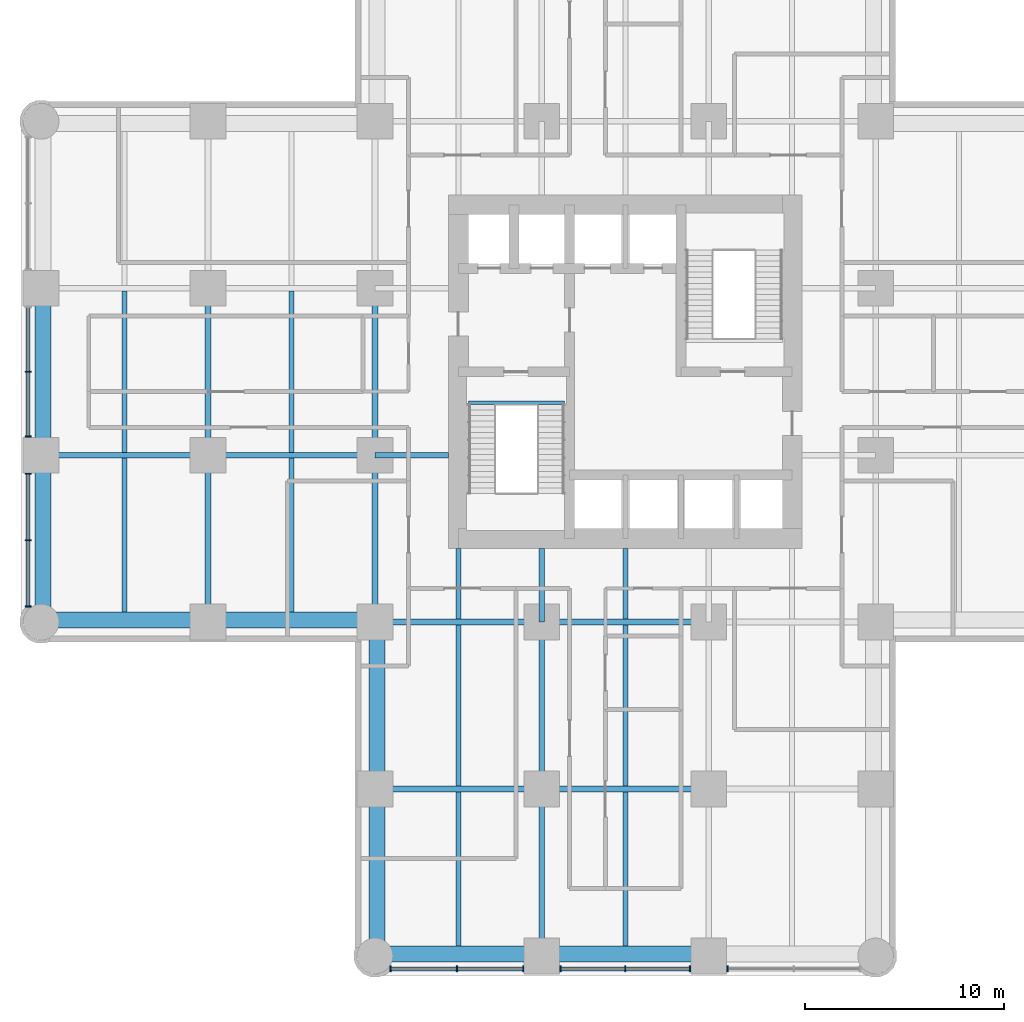
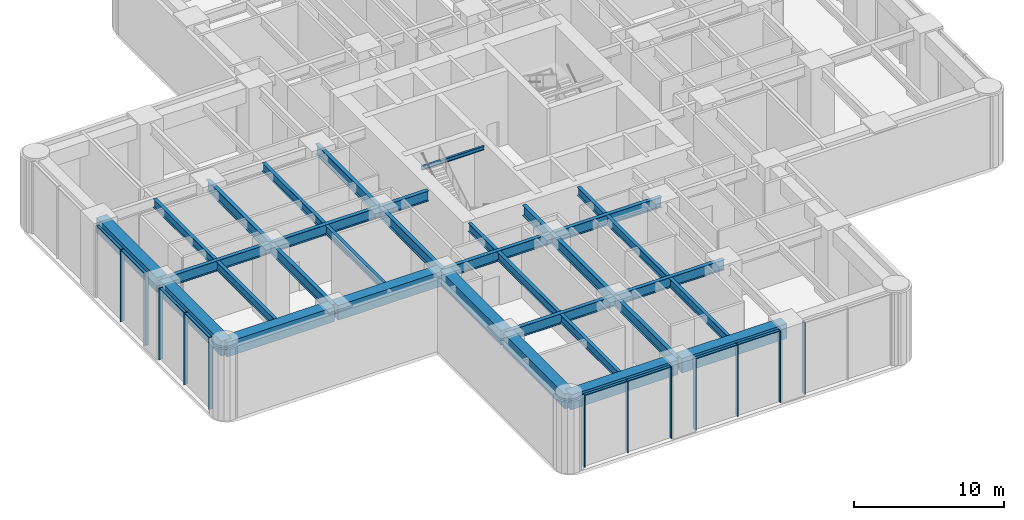
# One storey, part 2 of 11: 33 beams, 20 members, 2 elements without a shape of their own.
"""IFC4 building model written with IfcOpenShell, lengths in metres."""

from ifc_helpers import new_model, si_unit, direction, frame, origin, origin_2d, place, context, subcontext, project, spatial, rectangle, i_section, extrude, material, material_profile, profile_set, type_object, element, aggregate, save


model = new_model("IFC4")

# Units and contexts
model_context = context("Model", 3, precision=1e-05, world=origin(), true_north=direction((0.0, 1.0)))
body_context = subcontext(model_context, "Body", "Model", "MODEL_VIEW")
ifc_project = project(units=[si_unit("LENGTHUNIT", "METRE"), si_unit("AREAUNIT", "SQUARE_METRE"), si_unit("VOLUMEUNIT", "CUBIC_METRE"), si_unit("PLANEANGLEUNIT", "RADIAN"), si_unit("MASSUNIT", "GRAM", prefix="KILO")], contexts=[model_context])

# Site, building, storey
site_placement = place(None, origin())
site = spatial("IfcSite", under=ifc_project, at=site_placement, CompositionType="ELEMENT")
building_placement = place(site_placement, origin())
building = spatial("IfcBuilding", under=site, at=building_placement, Name="Torre Alcanfor", CompositionType="ELEMENT")
storey_placement = place(building_placement, frame((0.0, 0.0, 28.5)))
storey = spatial("IfcBuildingStorey", under=building, at=storey_placement, Name="L06", CompositionType="ELEMENT", Elevation=28.5)

# Curtain wall, members
ifc_material_1 = material(Name="Aluminium and glass", Category="aluminium")
curtain_wall_type = type_object("IfcCurtainWallType", Name="CW-D plant floor louvre screen", PredefinedType="NOTDEFINED", material=ifc_material_1)
curtain_wall_1_placement = place(storey_placement, origin())
curtain_wall_1 = element("IfcCurtainWall", 1, at=curtain_wall_1_placement, inside=storey, type_object=curtain_wall_type, Name="Curtain wall CW-D L06 2", PredefinedType="NOTDEFINED")
ifc_material_2 = material(Name="Extruded aluminium", Category="aluminium")
ifc_material_profile_1 = material_profile(ifc_material_2, rectangle(XDim=0.300048828125, YDim=0.06494140625, at=origin_2d()), Name="CW-D mullion 65x300")
ifc_profile_set_1 = profile_set([ifc_material_profile_1], Name="Extruded aluminium")
member_type_1 = type_object("IfcMemberType", Name="CW-D mullion 65x300", PredefinedType="MULLION", material=ifc_profile_set_1)
member_1_placement = place(storey_placement, frame((-0.64990234375, 29.39990234375, 0.0), z_axis=(0.0, 0.0, 1.0), x_axis=(1.0, 0.0, 0.0)))
member_1 = element("IfcMember", 2, at=member_1_placement, type_object=member_type_1, Name="CW-D mullion 2.2", PredefinedType="MULLION", context=body_context, shape_type="SweptSolid", body=[
    extrude(rectangle(XDim=0.300048828125, YDim=0.06494140625, at=origin_2d()), origin(), (0.0, 0.0, 1.0), 5.85009765625),
])
member_2_placement = place(storey_placement, frame((-0.64990234375, 26.137451171875, 0.0), z_axis=(0.0, 0.0, 1.0), x_axis=(1.0, 0.0, 0.0)))
member_2 = element("IfcMember", 3, at=member_2_placement, type_object=member_type_1, Name="CW-D mullion 2.3", PredefinedType="MULLION", context=body_context, shape_type="SweptSolid", body=[
    extrude(rectangle(XDim=0.300048828125, YDim=0.06494140625, at=origin_2d()), origin(), (0.0, 0.0, 1.0), 5.85009765625),
])
member_3_placement = place(storey_placement, frame((-0.64990234375, 24.262451171875, 0.0), z_axis=(0.0, 0.0, 1.0), x_axis=(1.0, 0.0, 0.0)))
member_3 = element("IfcMember", 4, at=member_3_placement, type_object=member_type_1, Name="CW-D mullion 3.1", PredefinedType="MULLION", context=body_context, shape_type="SweptSolid", body=[
    extrude(rectangle(XDim=0.300048828125, YDim=0.06494140625, at=origin_2d()), origin(), (0.0, 0.0, 1.0), 5.85009765625),
])
member_4_placement = place(storey_placement, frame((-0.64990234375, 20.924560546875, 0.0), z_axis=(0.0, 0.0, 1.0), x_axis=(1.0, 0.0, 0.0)))
member_4 = element("IfcMember", 5, at=member_4_placement, type_object=member_type_1, Name="CW-D mullion 3.2", PredefinedType="MULLION", context=body_context, shape_type="SweptSolid", body=[
    extrude(rectangle(XDim=0.300048828125, YDim=0.06494140625, at=origin_2d()), origin(), (0.0, 0.0, 1.0), 5.85009765625),
])
member_5_placement = place(storey_placement, frame((-0.64990234375, 17.5869140625, 0.0), z_axis=(0.0, 0.0, 1.0), x_axis=(1.0, 0.0, 0.0)))
member_5 = element("IfcMember", 6, at=member_5_placement, type_object=member_type_1, Name="CW-D mullion 3.3", PredefinedType="MULLION", context=body_context, shape_type="SweptSolid", body=[
    extrude(rectangle(XDim=0.300048828125, YDim=0.06494140625, at=origin_2d()), origin(), (0.0, 0.0, 1.0), 5.85009765625),
])

curtain_wall_2_placement = place(storey_placement, origin())
curtain_wall_2 = element("IfcCurtainWall", 7, at=curtain_wall_2_placement, inside=storey, type_object=curtain_wall_type, Name="Curtain wall CW-D L06 5", PredefinedType="NOTDEFINED")
member_6_placement = place(storey_placement, frame((17.5869140625, -0.64990234375, 0.0), z_axis=(0.0, 0.0, 1.0), x_axis=(0.0, 1.0, 0.0)))
member_6 = element("IfcMember", 8, at=member_6_placement, type_object=member_type_1, Name="CW-D mullion 1.1", PredefinedType="MULLION", context=body_context, shape_type="SweptSolid", body=[
    extrude(rectangle(XDim=0.300048828125, YDim=0.06494140625, at=origin_2d()), origin(), (0.0, 0.0, 1.0), 5.85009765625),
])
member_7_placement = place(storey_placement, frame((20.924560546875, -0.64990234375, 0.0), z_axis=(0.0, 0.0, 1.0), x_axis=(0.0, 1.0, 0.0)))
member_7 = element("IfcMember", 9, at=member_7_placement, type_object=member_type_1, Name="CW-D mullion 1.2", PredefinedType="MULLION", context=body_context, shape_type="SweptSolid", body=[
    extrude(rectangle(XDim=0.300048828125, YDim=0.06494140625, at=origin_2d()), origin(), (0.0, 0.0, 1.0), 5.85009765625),
])
member_8_placement = place(storey_placement, frame((24.262451171875, -0.64990234375, 0.0), z_axis=(0.0, 0.0, 1.0), x_axis=(0.0, 1.0, 0.0)))
member_8 = element("IfcMember", 10, at=member_8_placement, type_object=member_type_1, Name="CW-D mullion 1.3", PredefinedType="MULLION", context=body_context, shape_type="SweptSolid", body=[
    extrude(rectangle(XDim=0.300048828125, YDim=0.06494140625, at=origin_2d()), origin(), (0.0, 0.0, 1.0), 5.85009765625),
])
member_9_placement = place(storey_placement, frame((26.137451171875, -0.64990234375, 0.0), z_axis=(0.0, 0.0, 1.0), x_axis=(0.0, 1.0, 0.0)))
member_9 = element("IfcMember", 11, at=member_9_placement, type_object=member_type_1, Name="CW-D mullion 2.1", PredefinedType="MULLION", context=body_context, shape_type="SweptSolid", body=[
    extrude(rectangle(XDim=0.300048828125, YDim=0.06494140625, at=origin_2d()), origin(), (0.0, 0.0, 1.0), 5.85009765625),
])
member_10_placement = place(storey_placement, frame((29.39990234375, -0.64990234375, 0.0), z_axis=(0.0, 0.0, 1.0), x_axis=(0.0, 1.0, 0.0)))
member_10 = element("IfcMember", 12, at=member_10_placement, type_object=member_type_1, Name="CW-D mullion 2.2", PredefinedType="MULLION", context=body_context, shape_type="SweptSolid", body=[
    extrude(rectangle(XDim=0.300048828125, YDim=0.06494140625, at=origin_2d()), origin(), (0.0, 0.0, 1.0), 5.85009765625),
])
member_11_placement = place(storey_placement, frame((32.66259765625, -0.64990234375, 0.0), z_axis=(0.0, 0.0, 1.0), x_axis=(0.0, 1.0, 0.0)))
member_11 = element("IfcMember", 13, at=member_11_placement, type_object=member_type_1, Name="CW-D mullion 2.3", PredefinedType="MULLION", context=body_context, shape_type="SweptSolid", body=[
    extrude(rectangle(XDim=0.300048828125, YDim=0.06494140625, at=origin_2d()), origin(), (0.0, 0.0, 1.0), 5.85009765625),
])
member_12_placement = place(storey_placement, frame((34.53759765625, -0.64990234375, 0.0), z_axis=(0.0, 0.0, 1.0), x_axis=(0.0, 1.0, 0.0)))
member_12 = element("IfcMember", 14, at=member_12_placement, type_object=member_type_1, Name="CW-D mullion 3.1", PredefinedType="MULLION", context=body_context, shape_type="SweptSolid", body=[
    extrude(rectangle(XDim=0.300048828125, YDim=0.06494140625, at=origin_2d()), origin(), (0.0, 0.0, 1.0), 5.85009765625),
])

# Member
ifc_material_3 = material(Name="Extruded aluminium", Category="aluminium")
ifc_material_profile_2 = material_profile(ifc_material_3, rectangle(XDim=0.199951171875, YDim=0.06494140625, at=origin_2d()), Name="CW-D transom 200x65")
ifc_profile_set_2 = profile_set([ifc_material_profile_2], Name="Extruded aluminium")
member_type_2 = type_object("IfcMemberType", Name="CW-D transom 65x200", PredefinedType="USERDEFINED", material=ifc_profile_set_2)
member_13_placement = place(storey_placement, frame((-0.64990234375, 32.6298828125, 5.8173828125), z_axis=(0.0, -1.0, 0.0), x_axis=(1.0, 0.0, 0.0)))
member_13 = element("IfcMember", 15, at=member_13_placement, type_object=member_type_2, Name="CW-D transom 2.1.2", ObjectType="TRANSOM", PredefinedType="USERDEFINED", context=body_context, shape_type="SweptSolid", body=[
    extrude(rectangle(XDim=0.199951171875, YDim=0.06494140625, at=origin_2d()), origin(), (0.0, 0.0, 1.0), 3.197265625),
])

member_14_placement = place(storey_placement, frame((-0.64990234375, 29.367431640625, 5.8173828125), z_axis=(0.0, -1.0, 0.0), x_axis=(1.0, 0.0, 0.0)))
member_14 = element("IfcMember", 16, at=member_14_placement, type_object=member_type_2, Name="CW-D transom 2.2.2", ObjectType="TRANSOM", PredefinedType="USERDEFINED", context=body_context, shape_type="SweptSolid", body=[
    extrude(rectangle(XDim=0.199951171875, YDim=0.06494140625, at=origin_2d()), origin(), (0.0, 0.0, 1.0), 3.197509765625),
])

member_15_placement = place(storey_placement, frame((-0.64990234375, 24.22998046875, 5.8173828125), z_axis=(0.0, -1.0, 0.0), x_axis=(1.0, 0.0, 0.0)))
member_15 = element("IfcMember", 17, at=member_15_placement, type_object=member_type_2, Name="CW-D transom 3.1.2", ObjectType="TRANSOM", PredefinedType="USERDEFINED", context=body_context, shape_type="SweptSolid", body=[
    extrude(rectangle(XDim=0.199951171875, YDim=0.06494140625, at=origin_2d()), origin(), (0.0, 0.0, 1.0), 3.27294921875),
])

member_16_placement = place(storey_placement, frame((-0.64990234375, 20.89208984375, 5.8173828125), z_axis=(0.0, -1.0, 0.0), x_axis=(1.0, 0.0, 0.0)))
member_16 = element("IfcMember", 18, at=member_16_placement, type_object=member_type_2, Name="CW-D transom 3.2.2", ObjectType="TRANSOM", PredefinedType="USERDEFINED", context=body_context, shape_type="SweptSolid", body=[
    extrude(rectangle(XDim=0.199951171875, YDim=0.06494140625, at=origin_2d()), origin(), (0.0, 0.0, 1.0), 3.272705078125),
])

aggregate(curtain_wall_1, [member_1, member_2, member_13, member_14, member_3, member_4, member_5, member_15, member_16])

member_17_placement = place(storey_placement, frame((17.619384765625, -0.64990234375, 5.8173828125), z_axis=(1.0, 0.0, 0.0), x_axis=(0.0, 1.0, 0.0)))
member_17 = element("IfcMember", 19, at=member_17_placement, type_object=member_type_2, Name="CW-D transom 1.1.2", ObjectType="TRANSOM", PredefinedType="USERDEFINED", context=body_context, shape_type="SweptSolid", body=[
    extrude(rectangle(XDim=0.199951171875, YDim=0.06494140625, at=origin_2d()), origin(), (0.0, 0.0, 1.0), 3.272705078125),
])

member_18_placement = place(storey_placement, frame((20.95703125, -0.64990234375, 5.8173828125), z_axis=(1.0, 0.0, 0.0), x_axis=(0.0, 1.0, 0.0)))
member_18 = element("IfcMember", 20, at=member_18_placement, type_object=member_type_2, Name="CW-D transom 1.2.2", ObjectType="TRANSOM", PredefinedType="USERDEFINED", context=body_context, shape_type="SweptSolid", body=[
    extrude(rectangle(XDim=0.199951171875, YDim=0.06494140625, at=origin_2d()), origin(), (0.0, 0.0, 1.0), 3.27294921875),
])

member_19_placement = place(storey_placement, frame((26.169921875, -0.64990234375, 5.8173828125), z_axis=(1.0, 0.0, 0.0), x_axis=(0.0, 1.0, 0.0)))
member_19 = element("IfcMember", 21, at=member_19_placement, type_object=member_type_2, Name="CW-D transom 2.1.2", ObjectType="TRANSOM", PredefinedType="USERDEFINED", context=body_context, shape_type="SweptSolid", body=[
    extrude(rectangle(XDim=0.199951171875, YDim=0.06494140625, at=origin_2d()), origin(), (0.0, 0.0, 1.0), 3.197509765625),
])

member_20_placement = place(storey_placement, frame((29.4326171875, -0.64990234375, 5.8173828125), z_axis=(1.0, 0.0, 0.0), x_axis=(0.0, 1.0, 0.0)))
member_20 = element("IfcMember", 22, at=member_20_placement, type_object=member_type_2, Name="CW-D transom 2.2.2", ObjectType="TRANSOM", PredefinedType="USERDEFINED", context=body_context, shape_type="SweptSolid", body=[
    extrude(rectangle(XDim=0.199951171875, YDim=0.06494140625, at=origin_2d()), origin(), (0.0, 0.0, 1.0), 3.197265625),
])

aggregate(curtain_wall_2, [member_6, member_7, member_8, member_17, member_18, member_9, member_10, member_11, member_19, member_20, member_12])

# Beams
ifc_material_4 = material(Name="Steel ASTM A992 Grade 50", Category="steel")
ifc_material_profile_3 = material_profile(ifc_material_4, i_section(OverallWidth=0.2919921875, OverallDepth=0.8408203125, WebThickness=0.0146484375, FlangeThickness=0.021728515625, at=origin_2d()), Name="W33x130")
ifc_profile_set_3 = profile_set([ifc_material_profile_3], Name="Steel ASTM A992 Grade 50")
beam_type_1 = type_object("IfcBeamType", Name="Girder W33x130", PredefinedType="BEAM", material=ifc_profile_set_3)
beam_1_placement = place(storey_placement, frame((16.800048828125, 8.39990234375, 5.4296875), z_axis=(1.0, 0.0, 0.0), x_axis=(0.0, 1.0, 0.0)))
element("IfcBeam", 23, at=beam_1_placement, inside=storey, type_object=beam_type_1, Name="Beam 3D-4D under L07", PredefinedType="BEAM", context=body_context, shape_type="SweptSolid", body=[
    extrude(i_section(OverallWidth=0.2919921875, OverallDepth=0.8408203125, WebThickness=0.0146484375, FlangeThickness=0.021728515625, at=origin_2d()), origin(), (0.0, 0.0, 1.0), 8.39990234375),
])
beam_2_placement = place(storey_placement, frame((25.199951171875, 8.39990234375, 5.4296875), z_axis=(1.0, 0.0, 0.0), x_axis=(0.0, 1.0, 0.0)))
element("IfcBeam", 24, at=beam_2_placement, inside=storey, type_object=beam_type_1, Name="Beam 4D-5D under L07", PredefinedType="BEAM", context=body_context, shape_type="SweptSolid", body=[
    extrude(i_section(OverallWidth=0.2919921875, OverallDepth=0.8408203125, WebThickness=0.0146484375, FlangeThickness=0.021728515625, at=origin_2d()), origin(), (0.0, 0.0, 1.0), 8.400146484375),
])
beam_3_placement = place(storey_placement, frame((16.800048828125, 16.800048828125, 5.4296875), z_axis=(1.0, 0.0, 0.0), x_axis=(0.0, 1.0, 0.0)))
element("IfcBeam", 25, at=beam_3_placement, inside=storey, type_object=beam_type_1, Name="Beam 3E-4E under L07", PredefinedType="BEAM", context=body_context, shape_type="SweptSolid", body=[
    extrude(i_section(OverallWidth=0.2919921875, OverallDepth=0.8408203125, WebThickness=0.0146484375, FlangeThickness=0.021728515625, at=origin_2d()), origin(), (0.0, 0.0, 1.0), 8.39990234375),
])
beam_4_placement = place(storey_placement, frame((25.199951171875, 16.800048828125, 5.4296875), z_axis=(1.0, 0.0, 0.0), x_axis=(0.0, 1.0, 0.0)))
element("IfcBeam", 26, at=beam_4_placement, inside=storey, type_object=beam_type_1, Name="Beam 4E-5E under L07", PredefinedType="BEAM", context=body_context, shape_type="SweptSolid", body=[
    extrude(i_section(OverallWidth=0.2919921875, OverallDepth=0.8408203125, WebThickness=0.0146484375, FlangeThickness=0.021728515625, at=origin_2d()), origin(), (0.0, 0.0, 1.0), 8.400146484375),
])
beam_5_placement = place(storey_placement, frame((0.0, 25.199951171875, 5.4296875), z_axis=(1.0, 0.0, 0.0), x_axis=(0.0, 1.0, 0.0)))
element("IfcBeam", 27, at=beam_5_placement, inside=storey, type_object=beam_type_1, Name="Beam 1F-2F under L07", PredefinedType="BEAM", context=body_context, shape_type="SweptSolid", body=[
    extrude(i_section(OverallWidth=0.2919921875, OverallDepth=0.8408203125, WebThickness=0.0146484375, FlangeThickness=0.021728515625, at=origin_2d()), origin(), (0.0, 0.0, 1.0), 8.39990234375),
])
beam_6_placement = place(storey_placement, frame((8.39990234375, 25.199951171875, 5.4296875), z_axis=(1.0, 0.0, 0.0), x_axis=(0.0, 1.0, 0.0)))
element("IfcBeam", 28, at=beam_6_placement, inside=storey, type_object=beam_type_1, Name="Beam 2F-3F under L07", PredefinedType="BEAM", context=body_context, shape_type="SweptSolid", body=[
    extrude(i_section(OverallWidth=0.2919921875, OverallDepth=0.8408203125, WebThickness=0.0146484375, FlangeThickness=0.021728515625, at=origin_2d()), origin(), (0.0, 0.0, 1.0), 8.400146484375),
])
beam_7_placement = place(storey_placement, frame((8.39990234375, 16.800048828125, 5.4296875), z_axis=(0.0, 1.0, 0.0), x_axis=(-1.0, 0.0, 0.0)))
element("IfcBeam", 29, at=beam_7_placement, inside=storey, type_object=beam_type_1, Name="Beam 2E-2F under L07", PredefinedType="BEAM", context=body_context, shape_type="SweptSolid", body=[
    extrude(i_section(OverallWidth=0.2919921875, OverallDepth=0.8408203125, WebThickness=0.0146484375, FlangeThickness=0.021728515625, at=origin_2d()), origin(), (0.0, 0.0, 1.0), 8.39990234375),
])
beam_8_placement = place(storey_placement, frame((8.39990234375, 25.199951171875, 5.4296875), z_axis=(0.0, 1.0, 0.0), x_axis=(-1.0, 0.0, 0.0)))
element("IfcBeam", 30, at=beam_8_placement, inside=storey, type_object=beam_type_1, Name="Beam 2F-2G under L07", PredefinedType="BEAM", context=body_context, shape_type="SweptSolid", body=[
    extrude(i_section(OverallWidth=0.2919921875, OverallDepth=0.8408203125, WebThickness=0.0146484375, FlangeThickness=0.021728515625, at=origin_2d()), origin(), (0.0, 0.0, 1.0), 8.400146484375),
])
beam_9_placement = place(storey_placement, frame((16.800048828125, 16.800048828125, 5.4296875), z_axis=(0.0, 1.0, 0.0), x_axis=(-1.0, 0.0, 0.0)))
element("IfcBeam", 31, at=beam_9_placement, inside=storey, type_object=beam_type_1, Name="Beam 3E-3F under L07", PredefinedType="BEAM", context=body_context, shape_type="SweptSolid", body=[
    extrude(i_section(OverallWidth=0.2919921875, OverallDepth=0.8408203125, WebThickness=0.0146484375, FlangeThickness=0.021728515625, at=origin_2d()), origin(), (0.0, 0.0, 1.0), 8.39990234375),
])
beam_10_placement = place(storey_placement, frame((16.800048828125, 25.199951171875, 5.4296875), z_axis=(0.0, 1.0, 0.0), x_axis=(-1.0, 0.0, 0.0)))
element("IfcBeam", 32, at=beam_10_placement, inside=storey, type_object=beam_type_1, Name="Beam 3F-3G under L07", PredefinedType="BEAM", context=body_context, shape_type="SweptSolid", body=[
    extrude(i_section(OverallWidth=0.2919921875, OverallDepth=0.8408203125, WebThickness=0.0146484375, FlangeThickness=0.021728515625, at=origin_2d()), origin(), (0.0, 0.0, 1.0), 8.400146484375),
])
beam_11_placement = place(storey_placement, frame((25.199951171875, 0.0, 5.4296875), z_axis=(0.0, 1.0, 0.0), x_axis=(-1.0, 0.0, 0.0)))
element("IfcBeam", 33, at=beam_11_placement, inside=storey, type_object=beam_type_1, Name="Beam 4C-4D under L07", PredefinedType="BEAM", context=body_context, shape_type="SweptSolid", body=[
    extrude(i_section(OverallWidth=0.2919921875, OverallDepth=0.8408203125, WebThickness=0.0146484375, FlangeThickness=0.021728515625, at=origin_2d()), origin(), (0.0, 0.0, 1.0), 8.39990234375),
])
beam_12_placement = place(storey_placement, frame((25.199951171875, 8.39990234375, 5.4296875), z_axis=(0.0, 1.0, 0.0), x_axis=(-1.0, 0.0, 0.0)))
element("IfcBeam", 34, at=beam_12_placement, inside=storey, type_object=beam_type_1, Name="Beam 4D-4E under L07", PredefinedType="BEAM", context=body_context, shape_type="SweptSolid", body=[
    extrude(i_section(OverallWidth=0.2919921875, OverallDepth=0.8408203125, WebThickness=0.0146484375, FlangeThickness=0.021728515625, at=origin_2d()), origin(), (0.0, 0.0, 1.0), 8.400146484375),
])
ifc_material_5 = material(Name="Steel ASTM A992 Grade 50", Category="steel")
ifc_material_profile_4 = material_profile(ifc_material_5, i_section(OverallWidth=0.2919921875, OverallDepth=0.8408203125, WebThickness=0.0146484375, FlangeThickness=0.021728515625, at=origin_2d()), Name="W33x130")
ifc_profile_set_4 = profile_set([ifc_material_profile_4], Name="Steel ASTM A992 Grade 50")
beam_type_2 = type_object("IfcBeamType", Name="Girder, part bay W33x130", PredefinedType="BEAM", material=ifc_profile_set_4)
for number, where, z_axis, x_axis, name in (
    (35, (25.199951171875, 16.800048828125, 5.4296875), (0.0, 1.0, 0.0), (-1.0, 0.0, 0.0), "Beam 4E-420_5 under L07"),
    (36, (16.800048828125, 25.199951171875, 5.4296875), (1.0, 0.0, 0.0), (0.0, 1.0, 0.0), "Beam 3F-20_5F under L07"),
):
    element("IfcBeam", number, at=place(storey_placement, frame(where, z_axis=z_axis, x_axis=x_axis)), inside=storey, type_object=beam_type_2, Name=name, PredefinedType="BEAM", context=body_context, shape_type="SweptSolid", body=[
        extrude(i_section(OverallWidth=0.2919921875, OverallDepth=0.8408203125, WebThickness=0.0146484375, FlangeThickness=0.021728515625, at=origin_2d()), origin(), (0.0, 0.0, 1.0), 3.699951171875),
    ])
ifc_material_6 = material(Name="Concrete f'c 70 MPa", Category="concrete")
ifc_material_profile_5 = material_profile(ifc_material_6, rectangle(XDim=0.800048828125, YDim=1.199951171875, at=origin_2d()), Name="800x1200")
ifc_profile_set_5 = profile_set([ifc_material_profile_5], Name="Concrete f'c 70 MPa")
beam_type_3 = type_object("IfcBeamType", Name="RC perimeter beam 800x1200", PredefinedType="BEAM", material=ifc_profile_set_5)
beam_13_placement = place(storey_placement, frame((16.800048828125, 0.10009765625, 5.25), z_axis=(1.0, 0.0, 0.0), x_axis=(0.0, 1.0, 0.0)))
element("IfcBeam", 37, at=beam_13_placement, inside=storey, type_object=beam_type_3, Name="Beam 3C-4C under L07", PredefinedType="BEAM", context=body_context, shape_type="SweptSolid", body=[
    extrude(rectangle(XDim=0.800048828125, YDim=1.199951171875, at=origin_2d()), origin(), (0.0, 0.0, 1.0), 8.25390625),
])
beam_14_placement = place(storey_placement, frame((25.345947265625, 0.10009765625, 5.25), z_axis=(1.0, 0.0, 0.0), x_axis=(0.0, 1.0, 0.0)))
element("IfcBeam", 38, at=beam_14_placement, inside=storey, type_object=beam_type_3, Name="Beam 4C-5C under L07", PredefinedType="BEAM", context=body_context, shape_type="SweptSolid", body=[
    extrude(rectangle(XDim=0.800048828125, YDim=1.199951171875, at=origin_2d()), origin(), (0.0, 0.0, 1.0), 8.108154296875),
])
beam_15_placement = place(storey_placement, frame((0.0, 16.89990234375, 5.25), z_axis=(1.0, 0.0, 0.0), x_axis=(0.0, 1.0, 0.0)))
element("IfcBeam", 39, at=beam_15_placement, inside=storey, type_object=beam_type_3, Name="Beam 1E-2E under L07", PredefinedType="BEAM", context=body_context, shape_type="SweptSolid", body=[
    extrude(rectangle(XDim=0.800048828125, YDim=1.199951171875, at=origin_2d()), origin(), (0.0, 0.0, 1.0), 8.25390625),
])
beam_16_placement = place(storey_placement, frame((8.5458984375, 16.89990234375, 5.25), z_axis=(1.0, 0.0, 0.0), x_axis=(0.0, 1.0, 0.0)))
element("IfcBeam", 40, at=beam_16_placement, inside=storey, type_object=beam_type_3, Name="Beam 2E-3E under L07", PredefinedType="BEAM", context=body_context, shape_type="SweptSolid", body=[
    extrude(rectangle(XDim=0.800048828125, YDim=1.199951171875, at=origin_2d()), origin(), (0.0, 0.0, 1.0), 8.108154296875),
])
beam_17_placement = place(storey_placement, frame((0.10009765625, 16.800048828125, 5.25), z_axis=(0.0, 1.0, 0.0), x_axis=(-1.0, 0.0, 0.0)))
element("IfcBeam", 41, at=beam_17_placement, inside=storey, type_object=beam_type_3, Name="Beam 1E-1F under L07", PredefinedType="BEAM", context=body_context, shape_type="SweptSolid", body=[
    extrude(rectangle(XDim=0.800048828125, YDim=1.199951171875, at=origin_2d()), origin(), (0.0, 0.0, 1.0), 8.25390625),
])
beam_18_placement = place(storey_placement, frame((0.10009765625, 25.345947265625, 5.25), z_axis=(0.0, 1.0, 0.0), x_axis=(-1.0, 0.0, 0.0)))
element("IfcBeam", 42, at=beam_18_placement, inside=storey, type_object=beam_type_3, Name="Beam 1F-1G under L07", PredefinedType="BEAM", context=body_context, shape_type="SweptSolid", body=[
    extrude(rectangle(XDim=0.800048828125, YDim=1.199951171875, at=origin_2d()), origin(), (0.0, 0.0, 1.0), 8.108154296875),
])
beam_19_placement = place(storey_placement, frame((16.89990234375, 0.0, 5.25), z_axis=(0.0, 1.0, 0.0), x_axis=(-1.0, 0.0, 0.0)))
element("IfcBeam", 43, at=beam_19_placement, inside=storey, type_object=beam_type_3, Name="Beam 3C-3D under L07", PredefinedType="BEAM", context=body_context, shape_type="SweptSolid", body=[
    extrude(rectangle(XDim=0.800048828125, YDim=1.199951171875, at=origin_2d()), origin(), (0.0, 0.0, 1.0), 8.25390625),
])
beam_20_placement = place(storey_placement, frame((16.89990234375, 8.5458984375, 5.25), z_axis=(0.0, 1.0, 0.0), x_axis=(-1.0, 0.0, 0.0)))
element("IfcBeam", 44, at=beam_20_placement, inside=storey, type_object=beam_type_3, Name="Beam 3D-3E under L07", PredefinedType="BEAM", context=body_context, shape_type="SweptSolid", body=[
    extrude(rectangle(XDim=0.800048828125, YDim=1.199951171875, at=origin_2d()), origin(), (0.0, 0.0, 1.0), 8.108154296875),
])
ifc_material_7 = material(Name="Steel ASTM A992 Grade 50", Category="steel")
ifc_material_profile_6 = material_profile(ifc_material_7, i_section(OverallWidth=0.25390625, OverallDepth=0.683349609375, WebThickness=0.012451171875, FlangeThickness=0.01904296875, at=origin_2d()), Name="W27x94")
ifc_profile_set_6 = profile_set([ifc_material_profile_6], Name="Steel ASTM A992 Grade 50")
beam_type_4 = type_object("IfcBeamType", Name="Secondary beam W27x94", PredefinedType="BEAM", material=ifc_profile_set_6)
beam_21_placement = place(storey_placement, frame((4.199951171875, 17.300048828125, 5.50830078125), z_axis=(0.0, 1.0, 0.0), x_axis=(-1.0, 0.0, 0.0)))
element("IfcBeam", 45, at=beam_21_placement, inside=storey, type_object=beam_type_4, Name="Beam 4_2E-4_2F under L07", PredefinedType="BEAM", context=body_context, shape_type="SweptSolid", body=[
    extrude(i_section(OverallWidth=0.25390625, OverallDepth=0.683349609375, WebThickness=0.012451171875, FlangeThickness=0.01904296875, at=origin_2d()), origin(), (0.0, 0.0, 1.0), 7.75390625),
])
beam_22_placement = place(storey_placement, frame((4.199951171875, 25.345947265625, 5.50830078125), z_axis=(0.0, 1.0, 0.0), x_axis=(-1.0, 0.0, 0.0)))
element("IfcBeam", 46, at=beam_22_placement, inside=storey, type_object=beam_type_4, Name="Beam 4_2F-4_2G under L07", PredefinedType="BEAM", context=body_context, shape_type="SweptSolid", body=[
    extrude(i_section(OverallWidth=0.25390625, OverallDepth=0.683349609375, WebThickness=0.012451171875, FlangeThickness=0.01904296875, at=origin_2d()), origin(), (0.0, 0.0, 1.0), 8.108154296875),
])
beam_23_placement = place(storey_placement, frame((12.60009765625, 17.300048828125, 5.50830078125), z_axis=(0.0, 1.0, 0.0), x_axis=(-1.0, 0.0, 0.0)))
element("IfcBeam", 47, at=beam_23_placement, inside=storey, type_object=beam_type_4, Name="Beam 12_6E-12_6F under L07", PredefinedType="BEAM", context=body_context, shape_type="SweptSolid", body=[
    extrude(i_section(OverallWidth=0.25390625, OverallDepth=0.683349609375, WebThickness=0.012451171875, FlangeThickness=0.01904296875, at=origin_2d()), origin(), (0.0, 0.0, 1.0), 7.75390625),
])
beam_24_placement = place(storey_placement, frame((12.60009765625, 25.345947265625, 5.50830078125), z_axis=(0.0, 1.0, 0.0), x_axis=(-1.0, 0.0, 0.0)))
element("IfcBeam", 48, at=beam_24_placement, inside=storey, type_object=beam_type_4, Name="Beam 12_6F-12_6G under L07", PredefinedType="BEAM", context=body_context, shape_type="SweptSolid", body=[
    extrude(i_section(OverallWidth=0.25390625, OverallDepth=0.683349609375, WebThickness=0.012451171875, FlangeThickness=0.01904296875, at=origin_2d()), origin(), (0.0, 0.0, 1.0), 8.108154296875),
])
beam_25_placement = place(storey_placement, frame((21.0, 0.5, 5.50830078125), z_axis=(0.0, 1.0, 0.0), x_axis=(-1.0, 0.0, 0.0)))
element("IfcBeam", 49, at=beam_25_placement, inside=storey, type_object=beam_type_4, Name="Beam 21C-21D under L07", PredefinedType="BEAM", context=body_context, shape_type="SweptSolid", body=[
    extrude(i_section(OverallWidth=0.25390625, OverallDepth=0.683349609375, WebThickness=0.012451171875, FlangeThickness=0.01904296875, at=origin_2d()), origin(), (0.0, 0.0, 1.0), 7.75390625),
])
beam_26_placement = place(storey_placement, frame((21.0, 8.5458984375, 5.50830078125), z_axis=(0.0, 1.0, 0.0), x_axis=(-1.0, 0.0, 0.0)))
element("IfcBeam", 50, at=beam_26_placement, inside=storey, type_object=beam_type_4, Name="Beam 21D-21E under L07", PredefinedType="BEAM", context=body_context, shape_type="SweptSolid", body=[
    extrude(i_section(OverallWidth=0.25390625, OverallDepth=0.683349609375, WebThickness=0.012451171875, FlangeThickness=0.01904296875, at=origin_2d()), origin(), (0.0, 0.0, 1.0), 8.108154296875),
])
beam_27_placement = place(storey_placement, frame((29.39990234375, 0.5, 5.50830078125), z_axis=(0.0, 1.0, 0.0), x_axis=(-1.0, 0.0, 0.0)))
element("IfcBeam", 51, at=beam_27_placement, inside=storey, type_object=beam_type_4, Name="Beam 29_4C-29_4D under L07", PredefinedType="BEAM", context=body_context, shape_type="SweptSolid", body=[
    extrude(i_section(OverallWidth=0.25390625, OverallDepth=0.683349609375, WebThickness=0.012451171875, FlangeThickness=0.01904296875, at=origin_2d()), origin(), (0.0, 0.0, 1.0), 7.75390625),
])
beam_28_placement = place(storey_placement, frame((29.39990234375, 8.5458984375, 5.50830078125), z_axis=(0.0, 1.0, 0.0), x_axis=(-1.0, 0.0, 0.0)))
element("IfcBeam", 52, at=beam_28_placement, inside=storey, type_object=beam_type_4, Name="Beam 29_4D-29_4E under L07", PredefinedType="BEAM", context=body_context, shape_type="SweptSolid", body=[
    extrude(i_section(OverallWidth=0.25390625, OverallDepth=0.683349609375, WebThickness=0.012451171875, FlangeThickness=0.01904296875, at=origin_2d()), origin(), (0.0, 0.0, 1.0), 8.108154296875),
])
ifc_material_8 = material(Name="Steel ASTM A992 Grade 50", Category="steel")
ifc_material_profile_7 = material_profile(ifc_material_8, i_section(OverallWidth=0.25390625, OverallDepth=0.683349609375, WebThickness=0.012451171875, FlangeThickness=0.01904296875, at=origin_2d()), Name="W27x94")
ifc_profile_set_7 = profile_set([ifc_material_profile_7], Name="Steel ASTM A992 Grade 50")
beam_type_5 = type_object("IfcBeamType", Name="Secondary beam, part bay W27x94", PredefinedType="BEAM", material=ifc_profile_set_7)
for number, where, z_axis, x_axis, name in (
    (53, (21.0, 16.946044921875, 5.50830078125), (0.0, 1.0, 0.0), (-1.0, 0.0, 0.0), "Beam 21E-2120_5 under L07"),
    (54, (29.39990234375, 16.946044921875, 5.50830078125), (0.0, 1.0, 0.0), (-1.0, 0.0, 0.0), "Beam 29_4E-29_420_5 under L07"),
):
    element("IfcBeam", number, at=place(storey_placement, frame(where, z_axis=z_axis, x_axis=x_axis)), inside=storey, type_object=beam_type_5, Name=name, PredefinedType="BEAM", context=body_context, shape_type="SweptSolid", body=[
        extrude(i_section(OverallWidth=0.25390625, OverallDepth=0.683349609375, WebThickness=0.012451171875, FlangeThickness=0.01904296875, at=origin_2d()), origin(), (0.0, 0.0, 1.0), 3.553955078125),
    ])
ifc_material_9 = material(Name="Steel ASTM A992 Grade 50", Category="steel")
ifc_material_profile_8 = material_profile(ifc_material_9, i_section(OverallWidth=0.164794921875, OverallDepth=0.309814453125, WebThickness=0.005859375, FlangeThickness=0.009765625, at=origin_2d()), Name="W12x26")
ifc_profile_set_8 = profile_set([ifc_material_profile_8], Name="Steel ASTM A992 Grade 50")
beam_type_6 = type_object("IfcBeamType", Name="Stair landing beam W12x26", PredefinedType="BEAM", material=ifc_profile_set_8)
beam_29_placement = place(storey_placement, frame((21.5, 27.83740234375, 5.64501953125), z_axis=(1.0, 0.0, 0.0), x_axis=(0.0, 1.0, 0.0)))
element("IfcBeam", 55, at=beam_29_placement, inside=storey, type_object=beam_type_6, Name="Landing trimmer S1 L07", PredefinedType="BEAM", context=body_context, shape_type="SweptSolid", body=[
    extrude(i_section(OverallWidth=0.164794921875, OverallDepth=0.309814453125, WebThickness=0.005859375, FlangeThickness=0.009765625, at=origin_2d()), origin(), (0.0, 0.0, 1.0), 4.85009765625),
])

save(model, "model.ifc")
